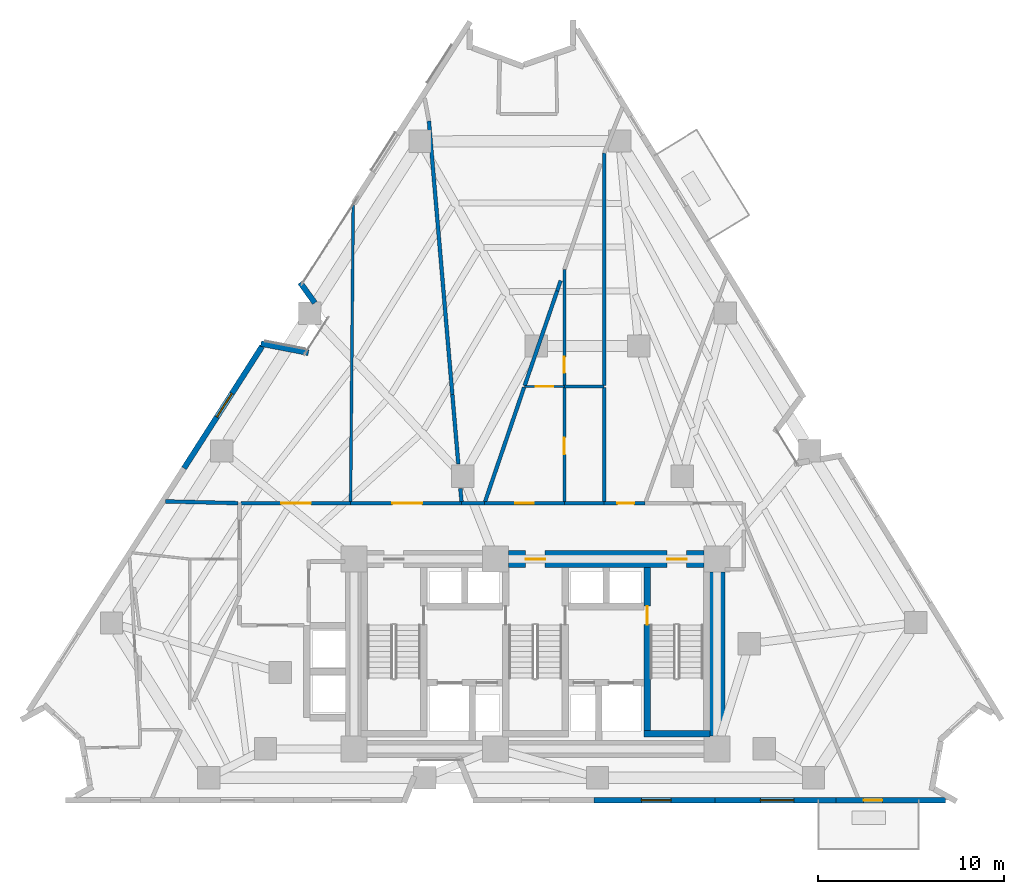
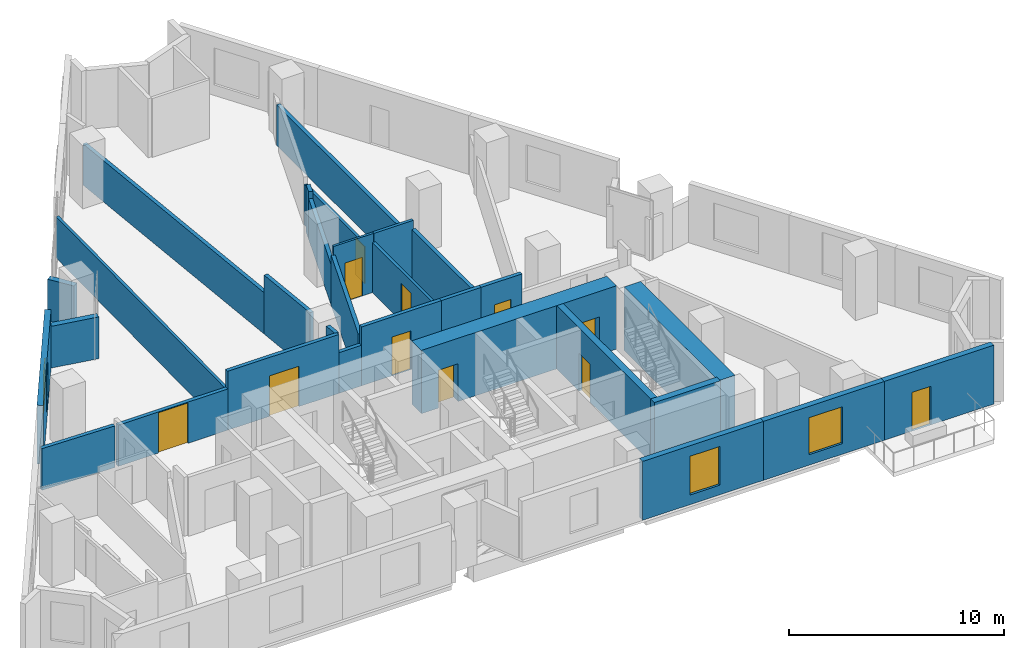
# One storey, part 8 of 13: 30 walls, 11 doors, 3 windows, 14 openings.
"""IFC4 building model written with IfcOpenShell, lengths in metres."""

from ifc_helpers import new_model, si_unit, direction, frame, frame_2d, origin, place, context, subcontext, project, spatial, rectangle, extrude, material, layer, layer_set, type_object, element, fill, save


model = new_model("IFC4")

# Units and contexts
model_context = context("Model", 3, precision=1e-05, world=origin(), true_north=direction((0.0, 1.0)))
body_context = subcontext(model_context, "Body", "Model", "MODEL_VIEW")
ifc_project = project(units=[si_unit("LENGTHUNIT", "METRE"), si_unit("AREAUNIT", "SQUARE_METRE"), si_unit("VOLUMEUNIT", "CUBIC_METRE"), si_unit("PLANEANGLEUNIT", "RADIAN"), si_unit("MASSUNIT", "GRAM", prefix="KILO")], contexts=[model_context])

# Site, building, storey
site_placement = place(None, origin())
site = spatial("IfcSite", under=ifc_project, at=site_placement, CompositionType="ELEMENT")
building_placement = place(site_placement, origin())
building = spatial("IfcBuilding", under=site, at=building_placement, Name="Almagre Mirador Tower", CompositionType="ELEMENT")
storey_placement = place(building_placement, frame((0.0, 0.0, 85.800048828125)))
storey = spatial("IfcBuildingStorey", under=building, at=storey_placement, Name="L21", CompositionType="ELEMENT", Elevation=85.800048828125)

# Walls
ifc_material_1 = material(Name="Precast concrete C50/60", Category="concrete")
ifc_layer_1 = layer(ifc_material_1, 0.300048828125)
ifc_layer_set_1 = layer_set([ifc_layer_1], Name="Precast concrete C50/60")
wall_type_1 = type_object("IfcWallType", Name="WAL-EXT-300", PredefinedType="SOLIDWALL", material=ifc_layer_set_1)
wall_1_placement = place(storey_placement, frame((22.556640625, 26.322509765625, 0.0), z_axis=(0.0, 0.0, 1.0), x_axis=(0.98176398898, -0.190103839891, 0.0)))
element("IfcWall", 1, at=wall_1_placement, inside=storey, type_object=wall_type_1, Name="L21 expressed almagre precast frame wall 01", PredefinedType="SOLIDWALL", context=body_context, shape_type="SweptSolid", body=[
    extrude(rectangle(XDim=2.59423828125, YDim=0.300048828125, at=frame_2d((1.297119140625, 0.0))), origin(), (0.0, 0.0, 1.0), 2.375),
])
wall_2_placement = place(storey_placement, frame((25.4501953125, 28.510986328125, 0.0), z_axis=(0.0, 0.0, 1.0), x_axis=(-0.583099772648, 0.812400550922, 0.0)))
element("IfcWall", 2, at=wall_2_placement, inside=storey, type_object=wall_type_1, Name="L21 expressed almagre precast frame wall 02", PredefinedType="SOLIDWALL", context=body_context, shape_type="SweptSolid", body=[
    extrude(rectangle(XDim=1.35107421875, YDim=0.300048828125, at=frame_2d((0.675537109375, 0.0))), origin(), (0.0, 0.0, 1.0), 2.375),
])

# Wall, opening, door
wall_3_placement = place(storey_placement, frame((59.340087890625, 1.800048828125, 0.0), z_axis=(0.0, 0.0, 1.0), x_axis=(-1.0, 0.0, 0.0)))
wall_3 = element("IfcWall", 3, at=wall_3_placement, inside=storey, type_object=wall_type_1, Name="L21 expressed almagre precast frame wall 22", PredefinedType="SOLIDWALL", context=body_context, shape_type="SweptSolid", body=[
    extrude(rectangle(XDim=5.89697265625, YDim=0.300048828125, at=frame_2d((2.948486328125, 0.0))), origin(), (0.0, 0.0, 1.0), 3.349853515625),
])
opening_1_placement = place(wall_3_placement, frame((3.397705078125, 0.0, 0.0)))
opening_1 = element("IfcOpeningElement", 4, at=opening_1_placement, cuts=wall_3, Name="Opening BD-01", PredefinedType="OPENING", context=body_context, shape_type="SweptSolid", body=[
    extrude(rectangle(XDim=1.0, YDim=2.199951171875, at=frame_2d((0.5, 1.10009765625))), frame((0.0, 0.159902, 0.0), z_axis=(0.0, -1.0, 0.0), x_axis=(1.0, 0.0, 0.0)), (0.0, 0.0, 1.0), 0.320049),
])
ifc_material_2 = material(Name="Black anodized aluminium and laminated glass", Category="aluminium")
door_type_1 = type_object("IfcDoorType", Name="DOR-BAL-1000X2200", OperationType="NOTDEFINED", PredefinedType="DOOR", material=ifc_material_2)
door_1_placement = place(opening_1_placement, origin())
door_1 = element("IfcDoor", 5, at=door_1_placement, inside=storey, type_object=door_type_1, Name="DR-0712 L21 south balcony glazed door 1", OperationType="SINGLE_SWING_LEFT", OverallHeight=2.199951171875, OverallWidth=1.0, PredefinedType="DOOR", context=body_context, shape_type="SweptSolid", body=[
    extrude(rectangle(XDim=1.0, YDim=2.199951171875, at=frame_2d((0.5, 1.10009765625))), frame((0.0, 0.02490234375, 0.0), z_axis=(0.0, -1.0, 0.0), x_axis=(1.0, 0.0, 0.0)), (0.0, 0.0, 1.0), 0.050048828125),
])
fill(opening_1, door_1)

# Wall, opening, window
wall_4_placement = place(storey_placement, frame((53.443115234375, 1.800048828125, 0.0), z_axis=(0.0, 0.0, 1.0), x_axis=(-1.0, 0.0, 0.0)))
wall_4 = element("IfcWall", 6, at=wall_4_placement, inside=storey, type_object=wall_type_1, Name="L21 expressed almagre precast frame wall 23", PredefinedType="SOLIDWALL", context=body_context, shape_type="SweptSolid", body=[
    extrude(rectangle(XDim=6.4970703125, YDim=0.300048828125, at=frame_2d((3.24853515625, 0.0))), origin(), (0.0, 0.0, 1.0), 3.349853515625),
])
opening_2_placement = place(wall_4_placement, frame((2.25, 0.0, 0.60009765625)))
opening_2 = element("IfcOpeningElement", 7, at=opening_2_placement, cuts=wall_4, Name="Opening WN-01", PredefinedType="OPENING", context=body_context, shape_type="SweptSolid", body=[
    extrude(rectangle(XDim=1.800048828125, YDim=2.10009765625, at=frame_2d((0.89990234375, 1.050048828125))), frame((0.0, 0.159902, 0.0), z_axis=(0.0, -1.0, 0.0), x_axis=(1.0, 0.0, 0.0)), (0.0, 0.0, 1.0), 0.320049),
])
ifc_material_3 = material(Name="Dark solar-control laminated hurricane glass", Category="glass")
window_type_1 = type_object("IfcWindowType", Name="WIN-1800X2100", PartitioningType="DOUBLE_PANEL_VERTICAL", PredefinedType="WINDOW", material=ifc_material_3)
window_1_placement = place(opening_2_placement, origin())
window_1 = element("IfcWindow", 8, at=window_1_placement, inside=storey, type_object=window_type_1, Name="L21 recessed hurricane window L21-RST-B", OverallHeight=2.10009765625, OverallWidth=1.800048828125, PartitioningType="SINGLE_PANEL", PredefinedType="WINDOW", context=body_context, shape_type="SweptSolid", body=[
    extrude(rectangle(XDim=1.800048828125, YDim=2.10009765625, at=frame_2d((0.89990234375, 1.050048828125))), frame((0.0, 0.030029296875, 0.0), z_axis=(0.0, -1.0, 0.0), x_axis=(1.0, 0.0, 0.0)), (0.0, 0.0, 1.0), 0.06005859375),
])
fill(opening_2, window_1)

wall_5_placement = place(storey_placement, frame((46.946044921875, 1.800048828125, 0.0), z_axis=(0.0, 0.0, 1.0), x_axis=(-1.0, 0.0, 0.0)))
wall_5 = element("IfcWall", 9, at=wall_5_placement, inside=storey, type_object=wall_type_1, Name="L21 expressed almagre precast frame wall 24", PredefinedType="SOLIDWALL", context=body_context, shape_type="SweptSolid", body=[
    extrude(rectangle(XDim=6.4970703125, YDim=0.300048828125, at=frame_2d((3.24853515625, 0.0))), origin(), (0.0, 0.0, 1.0), 3.349853515625),
])
opening_3_placement = place(wall_5_placement, frame((2.35009765625, 0.0, 0.550048828125)))
opening_3 = element("IfcOpeningElement", 10, at=opening_3_placement, cuts=wall_5, Name="Opening WN-06", PredefinedType="OPENING", context=body_context, shape_type="SweptSolid", body=[
    extrude(rectangle(XDim=1.60009765625, YDim=2.199951171875, at=frame_2d((0.800048828125, 1.10009765625))), frame((0.0, 0.159902, 0.0), z_axis=(0.0, -1.0, 0.0), x_axis=(1.0, 0.0, 0.0)), (0.0, 0.0, 1.0), 0.320049),
])
ifc_material_4 = material(Name="Dark solar-control laminated hurricane glass", Category="glass")
window_type_2 = type_object("IfcWindowType", Name="WIN-1600X2200", PartitioningType="DOUBLE_PANEL_VERTICAL", PredefinedType="WINDOW", material=ifc_material_4)
window_2_placement = place(opening_3_placement, origin())
window_2 = element("IfcWindow", 11, at=window_2_placement, inside=storey, type_object=window_type_2, Name="L21 recessed hurricane window L21-RST-B", OverallHeight=2.199951171875, OverallWidth=1.60009765625, PartitioningType="SINGLE_PANEL", PredefinedType="WINDOW", context=body_context, shape_type="SweptSolid", body=[
    extrude(rectangle(XDim=1.60009765625, YDim=2.199951171875, at=frame_2d((0.800048828125, 1.10009765625))), frame((0.0, 0.030029296875, 0.0), z_axis=(0.0, -1.0, 0.0), x_axis=(1.0, 0.0, 0.0)), (0.0, 0.0, 1.0), 0.06005859375),
])
fill(opening_3, window_2)

wall_6_placement = place(storey_placement, frame((18.4228515625, 19.62939453125, 0.0), z_axis=(0.0, 0.0, 1.0), x_axis=(0.539448885301, 0.842018349056, 0.0)))
wall_6 = element("IfcWall", 12, at=wall_6_placement, inside=storey, type_object=wall_type_1, Name="L21 expressed almagre precast frame wall 37", PredefinedType="SOLIDWALL", context=body_context, shape_type="SweptSolid", body=[
    extrude(rectangle(XDim=7.782470703125, YDim=0.300048828125, at=frame_2d((3.89111328125, 0.0))), origin(), (0.0, 0.0, 1.0), 3.349853515625),
])
opening_4_placement = place(wall_6_placement, frame((3.27490234375, 0.0, 0.60009765625)))
opening_4 = element("IfcOpeningElement", 13, at=opening_4_placement, cuts=wall_6, Name="Opening WN-03", PredefinedType="OPENING", context=body_context, shape_type="SweptSolid", body=[
    extrude(rectangle(XDim=1.5, YDim=2.10009765625, at=frame_2d((0.75, 1.050048828125))), frame((0.0, 0.159902, 0.0), z_axis=(0.0, -1.0, 0.0), x_axis=(1.0, 0.0, 0.0)), (0.0, 0.0, 1.0), 0.320049),
])
ifc_material_5 = material(Name="Dark solar-control laminated hurricane glass", Category="glass")
window_type_3 = type_object("IfcWindowType", Name="WIN-1500X2100", PartitioningType="DOUBLE_PANEL_VERTICAL", PredefinedType="WINDOW", material=ifc_material_5)
window_3_placement = place(opening_4_placement, origin())
window_3 = element("IfcWindow", 14, at=window_3_placement, inside=storey, type_object=window_type_3, Name="L21 recessed hurricane window L21-RST-E", OverallHeight=2.10009765625, OverallWidth=1.5, PartitioningType="SINGLE_PANEL", PredefinedType="WINDOW", context=body_context, shape_type="SweptSolid", body=[
    extrude(rectangle(XDim=1.5, YDim=2.10009765625, at=frame_2d((0.75, 1.050048828125))), frame((0.0, 0.030029296875, 0.0), z_axis=(0.0, -1.0, 0.0), x_axis=(1.0, 0.0, 0.0)), (0.0, 0.0, 1.0), 0.06005859375),
])
fill(opening_4, window_3)

# Wall, opening, door
ifc_material_6 = material(Name="Gypsum acoustic stud partition", Category="other")
ifc_layer_2 = layer(ifc_material_6, 0.125)
ifc_layer_set_2 = layer_set([ifc_layer_2], Name="Gypsum acoustic stud partition")
wall_type_2 = type_object("IfcWallType", Name="WAL-PRT-125-UTL", PredefinedType="PARTITIONING", material=ifc_layer_set_2)
wall_7_placement = place(storey_placement, frame((38.860107421875, 24.02001953125, 0.0), z_axis=(0.0, 0.0, 1.0), x_axis=(-1.0, 0.0, 0.0)))
wall_7 = element("IfcWall", 15, at=wall_7_placement, inside=storey, type_object=wall_type_2, Name="L21 interior partition 033", PredefinedType="PARTITIONING", context=body_context, shape_type="SweptSolid", body=[
    extrude(rectangle(XDim=2.150146484375, YDim=0.125, at=frame_2d((1.0751953125, 0.0))), origin(), (0.0, 0.0, 1.0), 3.349853515625),
])
opening_5_placement = place(wall_7_placement, frame((0.60009765625, 0.0, 0.0)))
opening_5 = element("IfcOpeningElement", 16, at=opening_5_placement, cuts=wall_7, Name="Opening UD-01", PredefinedType="OPENING", context=body_context, shape_type="SweptSolid", body=[
    extrude(rectangle(XDim=0.949951171875, YDim=2.199951171875, at=frame_2d((0.47509765625, 1.10009765625))), frame((0.0, 0.0725, 0.0), z_axis=(0.0, -1.0, 0.0), x_axis=(1.0, 0.0, 0.0)), (0.0, 0.0, 1.0), 0.145),
])
ifc_material_7 = material(Name="Solid American walnut timber", Category="wood")
door_type_2 = type_object("IfcDoorType", Name="DOR-UNR-950X2200", OperationType="NOTDEFINED", PredefinedType="DOOR", material=ifc_material_7)
door_2_placement = place(opening_5_placement, origin())
door_2 = element("IfcDoor", 17, at=door_2_placement, inside=storey, type_object=door_type_2, Name="DR-0729 L21 interior door L21-UG-LV to L21-UG-KT", OperationType="SINGLE_SWING_RIGHT", OverallHeight=2.199951171875, OverallWidth=0.949951171875, PredefinedType="DOOR", context=body_context, shape_type="SweptSolid", body=[
    extrude(rectangle(XDim=0.949951171875, YDim=2.199951171875, at=frame_2d((0.47509765625, 1.10009765625))), frame((0.0, 0.02490234375, 0.0), z_axis=(0.0, -1.0, 0.0), x_axis=(1.0, 0.0, 0.0)), (0.0, 0.0, 1.0), 0.050048828125),
])
fill(opening_5, door_2)

# Wall
ifc_material_8 = material(Name="Gypsum acoustic stud partition", Category="other")
ifc_layer_3 = layer(ifc_material_8, 0.14990234375)
ifc_layer_set_3 = layer_set([ifc_layer_3], Name="Gypsum acoustic stud partition")
wall_type_3 = type_object("IfcWallType", Name="WAL-PRT-150-STD", PredefinedType="PARTITIONING", material=ifc_layer_set_3)
wall_8_placement = place(storey_placement, frame((27.37109375, 17.8349609375, 0.0), z_axis=(0.0, 0.0, 1.0), x_axis=(0.008900588075, 0.999960388981, 0.0)))
element("IfcWall", 18, at=wall_8_placement, inside=storey, type_object=wall_type_3, Name="L21 interior partition 028", PredefinedType="PARTITIONING", context=body_context, shape_type="SweptSolid", body=[
    extrude(rectangle(XDim=15.936767578125, YDim=0.14990234375, at=frame_2d((7.96826171875, 0.0))), origin(), (0.0, 0.0, 1.0), 2.344970703125),
])

# Wall, opening, door
wall_9_placement = place(storey_placement, frame((38.860107421875, 17.8349609375, 0.0), z_axis=(0.0, 0.0, 1.0), x_axis=(0.0, 1.0, 0.0)))
wall_9 = element("IfcWall", 19, at=wall_9_placement, inside=storey, type_object=wall_type_3, Name="L21 interior partition 034", PredefinedType="PARTITIONING", context=body_context, shape_type="SweptSolid", body=[
    extrude(rectangle(XDim=6.137451171875, YDim=0.14990234375, at=frame_2d((3.06884765625, 0.0))), origin(), (0.0, 0.0, 1.0), 2.85302734375),
])
opening_6_placement = place(wall_9_placement, frame((2.540771484375, 0.0, 0.0)))
opening_6 = element("IfcOpeningElement", 20, at=opening_6_placement, cuts=wall_9, Name="Opening UD-02", PredefinedType="OPENING", context=body_context, shape_type="SweptSolid", body=[
    extrude(rectangle(XDim=0.89990234375, YDim=2.14990234375, at=frame_2d((0.449951171875, 1.074951171875))), frame((0.0, 0.084951, 0.0), z_axis=(0.0, -1.0, 0.0), x_axis=(1.0, 0.0, 0.0)), (0.0, 0.0, 1.0), 0.169902),
])
ifc_material_9 = material(Name="Solid American walnut timber", Category="wood")
door_type_3 = type_object("IfcDoorType", Name="DOR-UNR-900X2150", OperationType="NOTDEFINED", PredefinedType="DOOR", material=ifc_material_9)
door_3_placement = place(opening_6_placement, origin())
door_3 = element("IfcDoor", 21, at=door_3_placement, inside=storey, type_object=door_type_3, Name="DR-0731 L21 interior door L21-UG-LV to L21-UG-B1", OperationType="SINGLE_SWING_RIGHT", OverallHeight=2.14990234375, OverallWidth=0.89990234375, PredefinedType="DOOR", context=body_context, shape_type="SweptSolid", body=[
    extrude(rectangle(XDim=0.89990234375, YDim=2.14990234375, at=frame_2d((0.449951171875, 1.074951171875))), frame((0.0, 0.02490234375, 0.0), z_axis=(0.0, -1.0, 0.0), x_axis=(1.0, 0.0, 0.0)), (0.0, 0.0, 1.0), 0.050048828125),
])
fill(opening_6, door_3)

wall_10_placement = place(storey_placement, frame((38.860107421875, 30.300048828125, 0.0), z_axis=(0.0, 0.0, 1.0), x_axis=(0.0, -1.0, 0.0)))
wall_10 = element("IfcWall", 22, at=wall_10_placement, inside=storey, type_object=wall_type_3, Name="L21 interior partition 037", PredefinedType="PARTITIONING", context=body_context, shape_type="SweptSolid", body=[
    extrude(rectangle(XDim=6.232666015625, YDim=0.14990234375, at=frame_2d((3.1162109375, 0.0))), origin(), (0.0, 0.0, 1.0), 2.308837890625),
])
opening_7_placement = place(wall_10_placement, frame((4.691162109375, 0.0, 0.0)))
opening_7 = element("IfcOpeningElement", 23, at=opening_7_placement, cuts=wall_10, Name="Opening UD-04", PredefinedType="OPENING", context=body_context, shape_type="SweptSolid", body=[
    extrude(rectangle(XDim=0.85009765625, YDim=2.10009765625, at=frame_2d((0.425048828125, 1.050048828125))), frame((0.0, 0.084951, 0.0), z_axis=(0.0, -1.0, 0.0), x_axis=(1.0, 0.0, 0.0)), (0.0, 0.0, 1.0), 0.169902),
])
ifc_material_10 = material(Name="Moisture-resistant oak timber", Category="wood")
door_type_4 = type_object("IfcDoorType", Name="DOR-UNR-850X2100", OperationType="NOTDEFINED", PredefinedType="DOOR", material=ifc_material_10)
door_4_placement = place(opening_7_placement, origin())
door_4 = element("IfcDoor", 24, at=door_4_placement, inside=storey, type_object=door_type_4, Name="DR-0730 L21 interior door L21-UG-BT to L21-UG-KT", OperationType="SINGLE_SWING_LEFT", OverallHeight=2.10009765625, OverallWidth=0.85009765625, PredefinedType="DOOR", context=body_context, shape_type="SweptSolid", body=[
    extrude(rectangle(XDim=0.85009765625, YDim=2.10009765625, at=frame_2d((0.425048828125, 1.050048828125))), frame((0.0, 0.02490234375, 0.0), z_axis=(0.0, -1.0, 0.0), x_axis=(1.0, 0.0, 0.0)), (0.0, 0.0, 1.0), 0.050048828125),
])
fill(opening_7, door_4)

# Wall
wall_11_placement = place(storey_placement, frame((38.87255859375, 24.02001953125, 0.0), z_axis=(0.0, 0.0, 1.0), x_axis=(1.0, 0.0, 0.0)))
element("IfcWall", 25, at=wall_11_placement, inside=storey, type_object=wall_type_3, Name="L21 interior partition 038", PredefinedType="PARTITIONING", context=body_context, shape_type="SweptSolid", body=[
    extrude(rectangle(XDim=2.12744140625, YDim=0.14990234375, at=frame_2d((1.063720703125, 0.0))), origin(), (0.0, 0.0, 1.0), 3.349853515625),
])

# Wall, opening, door
ifc_material_11 = material(Name="Gypsum acoustic stud partition", Category="other")
ifc_layer_4 = layer(ifc_material_11, 0.199951171875)
ifc_layer_set_4 = layer_set([ifc_layer_4], Name="Gypsum acoustic stud partition")
wall_type_4 = type_object("IfcWallType", Name="WAL-PRT-200-EI60", PredefinedType="PARTITIONING", material=ifc_layer_set_4)
wall_12_placement = place(storey_placement, frame((27.3701171875, 17.75, 0.0), z_axis=(0.0, 0.0, 1.0), x_axis=(-1.0, 0.0, 0.0)))
wall_12 = element("IfcWall", 26, at=wall_12_placement, inside=storey, type_object=wall_type_4, Name="L21 interior partition 009", PredefinedType="PARTITIONING", context=body_context, shape_type="SweptSolid", body=[
    extrude(rectangle(XDim=5.885009765625, YDim=0.199951171875, at=frame_2d((2.9423828125, 0.0))), origin(), (0.0, 0.0, 1.0), 2.344970703125),
])
opening_8_placement = place(wall_12_placement, frame((2.126708984375, 0.0, 0.0)))
opening_8 = element("IfcOpeningElement", 27, at=opening_8_placement, cuts=wall_12, Name="Opening ID-05", PredefinedType="OPENING", context=body_context, shape_type="SweptSolid", body=[
    extrude(rectangle(XDim=1.60009765625, YDim=2.300048828125, at=frame_2d((0.800048828125, 1.14990234375))), frame((0.0, 0.110098, 0.0), z_axis=(0.0, -1.0, 0.0), x_axis=(1.0, 0.0, 0.0)), (0.0, 0.0, 1.0), 0.219951),
])
ifc_material_12 = material(Name="Fire-rated acoustic timber", Category="wood")
door_type_5 = type_object("IfcDoorType", Name="DOR-FD60-1600X2300", OperationType="DOUBLE_DOOR_SINGLE_SWING", PredefinedType="DOOR", material=ifc_material_12)
door_5_placement = place(opening_8_placement, origin())
door_5 = element("IfcDoor", 28, at=door_5_placement, inside=storey, type_object=door_type_5, Name="DR-0721 L21 interior door L21-RCOR to L21-RST-E", OperationType="DOUBLE_DOOR_SINGLE_SWING", OverallHeight=2.300048828125, OverallWidth=1.60009765625, PredefinedType="DOOR", context=body_context, shape_type="SweptSolid", body=[
    extrude(rectangle(XDim=1.60009765625, YDim=2.300048828125, at=frame_2d((0.800048828125, 1.14990234375))), frame((0.0, 0.02490234375, 0.0), z_axis=(0.0, -1.0, 0.0), x_axis=(1.0, 0.0, 0.0)), (0.0, 0.0, 1.0), 0.050048828125),
])
fill(opening_8, door_5)

wall_13_placement = place(storey_placement, frame((33.340087890625, 17.75, 0.0), z_axis=(0.0, 0.0, 1.0), x_axis=(-1.0, 0.0, 0.0)))
wall_13 = element("IfcWall", 29, at=wall_13_placement, inside=storey, type_object=wall_type_4, Name="L21 interior partition 010", PredefinedType="PARTITIONING", context=body_context, shape_type="SweptSolid", body=[
    extrude(rectangle(XDim=5.969970703125, YDim=0.199951171875, at=frame_2d((2.98486328125, 0.0))), origin(), (0.0, 0.0, 1.0), 3.349853515625),
])
opening_9_placement = place(wall_13_placement, frame((2.126708984375, 0.0, 0.0)))
opening_9 = element("IfcOpeningElement", 30, at=opening_9_placement, cuts=wall_13, Name="Opening ID-05", PredefinedType="OPENING", context=body_context, shape_type="SweptSolid", body=[
    extrude(rectangle(XDim=1.60009765625, YDim=2.300048828125, at=frame_2d((0.800048828125, 1.14990234375))), frame((0.0, 0.110098, 0.0), z_axis=(0.0, -1.0, 0.0), x_axis=(1.0, 0.0, 0.0)), (0.0, 0.0, 1.0), 0.219951),
])
door_6_placement = place(opening_9_placement, origin())
door_6 = element("IfcDoor", 31, at=door_6_placement, inside=storey, type_object=door_type_5, Name="DR-0722 L21 interior door L21-RCOR to L21-RST-F", OperationType="DOUBLE_DOOR_SINGLE_SWING", OverallHeight=2.300048828125, OverallWidth=1.60009765625, PredefinedType="DOOR", context=body_context, shape_type="SweptSolid", body=[
    extrude(rectangle(XDim=1.60009765625, YDim=2.300048828125, at=frame_2d((0.800048828125, 1.14990234375))), frame((0.0, 0.02490234375, 0.0), z_axis=(0.0, -1.0, 0.0), x_axis=(1.0, 0.0, 0.0)), (0.0, 0.0, 1.0), 0.050048828125),
])
fill(opening_9, door_6)

wall_14_placement = place(storey_placement, frame((38.860107421875, 17.75, 0.0), z_axis=(0.0, 0.0, 1.0), x_axis=(-1.0, 0.0, 0.0)))
wall_14 = element("IfcWall", 32, at=wall_14_placement, inside=storey, type_object=wall_type_4, Name="L21 interior partition 011", PredefinedType="PARTITIONING", context=body_context, shape_type="SweptSolid", body=[
    extrude(rectangle(XDim=4.2900390625, YDim=0.199951171875, at=frame_2d((2.14501953125, 0.0))), origin(), (0.0, 0.0, 1.0), 3.349853515625),
])
opening_10_placement = place(wall_14_placement, frame((1.64501953125, 0.0, 0.0)))
opening_10 = element("IfcOpeningElement", 33, at=opening_10_placement, cuts=wall_14, Name="Opening ID-01", PredefinedType="OPENING", context=body_context, shape_type="SweptSolid", body=[
    extrude(rectangle(XDim=1.0, YDim=2.199951171875, at=frame_2d((0.5, 1.10009765625))), frame((0.0, 0.110098, 0.0), z_axis=(0.0, -1.0, 0.0), x_axis=(1.0, 0.0, 0.0)), (0.0, 0.0, 1.0), 0.219951),
])
ifc_material_13 = material(Name="Fire-rated walnut timber", Category="wood")
door_type_6 = type_object("IfcDoorType", Name="DOR-FD60-1000X2200", OperationType="NOTDEFINED", PredefinedType="DOOR", material=ifc_material_13)
door_7_placement = place(opening_10_placement, origin())
door_7 = element("IfcDoor", 34, at=door_7_placement, inside=storey, type_object=door_type_6, Name="DR-0728 L21 interior door L21-RCOR to L21-UG-LV", OperationType="SINGLE_SWING_LEFT", OverallHeight=2.199951171875, OverallWidth=1.0, PredefinedType="DOOR", context=body_context, shape_type="SweptSolid", body=[
    extrude(rectangle(XDim=1.0, YDim=2.199951171875, at=frame_2d((0.5, 1.10009765625))), frame((0.0, 0.02490234375, 0.0), z_axis=(0.0, -1.0, 0.0), x_axis=(1.0, 0.0, 0.0)), (0.0, 0.0, 1.0), 0.050048828125),
])
fill(opening_10, door_7)

# Walls
wall_15_placement = place(storey_placement, frame((41.0, 17.75, 0.0), z_axis=(0.0, 0.0, 1.0), x_axis=(-1.0, 0.0, 0.0)))
element("IfcWall", 35, at=wall_15_placement, inside=storey, type_object=wall_type_4, Name="L21 interior partition 012", PredefinedType="PARTITIONING", context=body_context, shape_type="SweptSolid", body=[
    extrude(rectangle(XDim=2.139892578125, YDim=0.199951171875, at=frame_2d((1.06982421875, 0.0))), origin(), (0.0, 0.0, 1.0), 3.349853515625),
])
wall_16_placement = place(storey_placement, frame((34.570068359375, 17.75, 0.0), z_axis=(0.0, 0.0, 1.0), x_axis=(-1.0, 0.0, 0.0)))
element("IfcWall", 36, at=wall_16_placement, inside=storey, type_object=wall_type_4, Name="L21 interior partition 013", PredefinedType="PARTITIONING", context=body_context, shape_type="SweptSolid", body=[
    extrude(rectangle(XDim=1.22998046875, YDim=0.199951171875, at=frame_2d((0.614990234375, 0.0))), origin(), (0.0, 0.0, 1.0), 2.308837890625),
])

# Wall, opening, door
wall_17_placement = place(storey_placement, frame((43.199951171875, 17.75, 0.0), z_axis=(0.0, 0.0, 1.0), x_axis=(-1.0, 0.0, 0.0)))
wall_17 = element("IfcWall", 37, at=wall_17_placement, inside=storey, type_object=wall_type_4, Name="L21 interior partition 014", PredefinedType="PARTITIONING", context=body_context, shape_type="SweptSolid", body=[
    extrude(rectangle(XDim=2.199951171875, YDim=0.199951171875, at=frame_2d((1.10009765625, 0.0))), origin(), (0.0, 0.0, 1.0), 3.349853515625),
])
opening_11_placement = place(wall_17_placement, frame((0.59326171875, 0.0, 0.0)))
opening_11 = element("IfcOpeningElement", 38, at=opening_11_placement, cuts=wall_17, Name="Opening ID-03", PredefinedType="OPENING", context=body_context, shape_type="SweptSolid", body=[
    extrude(rectangle(XDim=0.89990234375, YDim=2.10009765625, at=frame_2d((0.449951171875, 1.050048828125))), frame((0.0, 0.110098, 0.0), z_axis=(0.0, -1.0, 0.0), x_axis=(1.0, 0.0, 0.0)), (0.0, 0.0, 1.0), 0.219951),
])
ifc_material_14 = material(Name="Fire-rated hollow steel", Category="steel")
door_type_7 = type_object("IfcDoorType", Name="DOR-FD60-900X2100", OperationType="NOTDEFINED", PredefinedType="DOOR", material=ifc_material_14)
door_8_placement = place(opening_11_placement, origin())
door_8 = element("IfcDoor", 39, at=door_8_placement, inside=storey, type_object=door_type_7, Name="DR-0723 L21 interior door L21-RCOR to L21-RST-J", OperationType="SINGLE_SWING_RIGHT", OverallHeight=2.10009765625, OverallWidth=0.89990234375, PredefinedType="DOOR", context=body_context, shape_type="SweptSolid", body=[
    extrude(rectangle(XDim=0.89990234375, YDim=2.10009765625, at=frame_2d((0.449951171875, 1.050048828125))), frame((0.0, 0.02490234375, 0.0), z_axis=(0.0, -1.0, 0.0), x_axis=(1.0, 0.0, 0.0)), (0.0, 0.0, 1.0), 0.050048828125),
])
fill(opening_11, door_8)

# Walls
wall_18_placement = place(storey_placement, frame((21.31494140625, 17.751708984375, 0.0), z_axis=(0.0, 0.0, 1.0), x_axis=(-0.999698711084, 0.024545611768, 0.0)))
element("IfcWall", 40, at=wall_18_placement, inside=storey, type_object=wall_type_4, Name="L21 interior partition 024", PredefinedType="PARTITIONING", context=body_context, shape_type="SweptSolid", body=[
    extrude(rectangle(XDim=3.879150390625, YDim=0.199951171875, at=frame_2d((1.939453125, 0.0))), origin(), (0.0, 0.0, 1.0), 2.369873046875),
])
wall_19_placement = place(storey_placement, frame((33.159912109375, 19.860107421875, 0.0), z_axis=(0.0, 0.0, 1.0), x_axis=(-0.08565893025, 0.996324519255, 0.0)))
element("IfcWall", 41, at=wall_19_placement, inside=storey, type_object=wall_type_4, Name="L21 interior partition 029", PredefinedType="PARTITIONING", context=body_context, shape_type="SweptSolid", body=[
    extrude(rectangle(XDim=3.733642578125, YDim=0.199951171875, at=frame_2d((1.86669921875, 0.0))), origin(), (0.0, 0.0, 1.0), 3.349853515625),
])
wall_20_placement = place(storey_placement, frame((33.33251953125, 17.834716796875, 0.0), z_axis=(0.0, 0.0, 1.0), x_axis=(-0.08826611765, 0.996096929257, 0.0)))
element("IfcWall", 42, at=wall_20_placement, inside=storey, type_object=wall_type_4, Name="L21 interior partition 030", PredefinedType="PARTITIONING", context=body_context, shape_type="SweptSolid", body=[
    extrude(rectangle(XDim=0.7080078125, YDim=0.199951171875, at=frame_2d((0.35400390625, 0.0))), origin(), (0.0, 0.0, 1.0), 3.349853515625),
])
wall_21_placement = place(storey_placement, frame((32.840087890625, 23.580078125, 0.0), z_axis=(0.0, 0.0, 1.0), x_axis=(-0.085402080026, 0.996346568583, 0.0)))
element("IfcWall", 43, at=wall_21_placement, inside=storey, type_object=wall_type_4, Name="L21 interior partition 031", PredefinedType="PARTITIONING", context=body_context, shape_type="SweptSolid", body=[
    extrude(rectangle(XDim=14.75390625, YDim=0.199951171875, at=frame_2d((7.376953125, 0.0))), origin(), (0.0, 0.0, 1.0), 2.344970703125),
])
wall_22_placement = place(storey_placement, frame((41.0, 24.080078125, 0.0), z_axis=(0.0, 0.0, 1.0), x_axis=(0.0, 1.0, 0.0)))
element("IfcWall", 44, at=wall_22_placement, inside=storey, type_object=wall_type_4, Name="L21 interior partition 039", PredefinedType="PARTITIONING", context=body_context, shape_type="SweptSolid", body=[
    extrude(rectangle(XDim=12.47998046875, YDim=0.199951171875, at=frame_2d((6.239990234375, 0.0))), origin(), (0.0, 0.0, 1.0), 2.308837890625),
])
wall_23_placement = place(storey_placement, frame((38.469970703125, 29.14990234375, 0.0), z_axis=(0.0, 0.0, 1.0), x_axis=(-0.324526339913, -0.94587665935, 0.0)))
element("IfcWall", 45, at=wall_23_placement, inside=storey, type_object=wall_type_4, Name="L21 interior partition 041", PredefinedType="PARTITIONING", context=body_context, shape_type="SweptSolid", body=[
    extrude(rectangle(XDim=5.3759765625, YDim=0.199951171875, at=frame_2d((2.68798828125, 0.0))), origin(), (0.0, 0.0, 1.0), 2.308837890625),
])
wall_24_placement = place(storey_placement, frame((38.659912109375, 29.710205078125, 0.0), z_axis=(0.0, 0.0, 1.0), x_axis=(-0.321051827957, -0.947061626171, 0.0)))
element("IfcWall", 46, at=wall_24_placement, inside=storey, type_object=wall_type_4, Name="L21 interior partition 042", PredefinedType="PARTITIONING", context=body_context, shape_type="SweptSolid", body=[
    extrude(rectangle(XDim=0.591552734375, YDim=0.199951171875, at=frame_2d((0.2958984375, 0.0))), origin(), (0.0, 0.0, 1.0), 2.7119140625),
])
wall_25_placement = place(storey_placement, frame((41.0, 17.8349609375, 0.0), z_axis=(0.0, 0.0, 1.0), x_axis=(0.0, 1.0, 0.0)))
element("IfcWall", 47, at=wall_25_placement, inside=storey, type_object=wall_type_4, Name="L21 interior partition 043", PredefinedType="PARTITIONING", context=body_context, shape_type="SweptSolid", body=[
    extrude(rectangle(XDim=6.125, YDim=0.199951171875, at=frame_2d((3.0625, 0.0))), origin(), (0.0, 0.0, 1.0), 2.85302734375),
])
wall_26_placement = place(storey_placement, frame((36.694580078125, 23.97509765625, 0.0), z_axis=(0.0, 0.0, 1.0), x_axis=(-0.322999292012, -0.946399206128, 0.0)))
element("IfcWall", 48, at=wall_26_placement, inside=storey, type_object=wall_type_4, Name="L21 interior partition 063", PredefinedType="PARTITIONING", context=body_context, shape_type="SweptSolid", body=[
    extrude(rectangle(XDim=6.49267578125, YDim=0.199951171875, at=frame_2d((3.246337890625, 0.0))), origin(), (0.0, 0.0, 1.0), 2.85302734375),
])

# Wall, opening, door
ifc_material_15 = material(Name="Concrete C60/75", Category="concrete")
ifc_layer_5 = layer(ifc_material_15, 0.35009765625)
ifc_layer_set_5 = layer_set([ifc_layer_5], Name="Concrete C60/75")
wall_type_5 = type_object("IfcWallType", Name="WAL-SHF-350", PredefinedType="SOLIDWALL", material=ifc_layer_set_5)
wall_27_placement = place(storey_placement, frame((43.300048828125, 5.199951171875, 0.0), z_axis=(0.0, 0.0, 1.0), x_axis=(0.0, 1.0, 0.0)))
wall_27 = element("IfcWall", 49, at=wall_27_placement, inside=storey, type_object=wall_type_5, Name="L21 shaft wall ST3-W", PredefinedType="SOLIDWALL", context=body_context, shape_type="SweptSolid", body=[
    extrude(rectangle(XDim=9.10009765625, YDim=0.35009765625, at=frame_2d((4.550048828125, 0.0))), origin(), (0.0, 0.0, 1.0), 3.599853515625),
])
opening_12_placement = place(wall_27_placement, frame((6.02001953125, 0.0, 0.0)))
opening_12 = element("IfcOpeningElement", 50, at=opening_12_placement, cuts=wall_27, Name="Opening FD-01", PredefinedType="OPENING", context=body_context, shape_type="SweptSolid", body=[
    extrude(rectangle(XDim=1.0, YDim=2.14990234375, at=frame_2d((0.5, 1.074951171875))), frame((0.0, 0.185049, 0.0), z_axis=(0.0, -1.0, 0.0), x_axis=(1.0, 0.0, 0.0)), (0.0, 0.0, 1.0), 0.370098),
])
ifc_material_16 = material(Name="Fire-rated hollow steel", Category="steel")
door_type_8 = type_object("IfcDoorType", Name="DOR-FFL-1000X2150", OperationType="NOTDEFINED", PredefinedType="DOOR", material=ifc_material_16)
door_9_placement = place(opening_12_placement, origin())
door_9 = element("IfcDoor", 51, at=door_9_placement, inside=storey, type_object=door_type_8, Name="DR-0718 L21 FFL2-ST3 smokeproof door", OperationType="SINGLE_SWING_LEFT", OverallHeight=2.14990234375, OverallWidth=1.0, PredefinedType="DOOR", context=body_context, shape_type="SweptSolid", body=[
    extrude(rectangle(XDim=1.0, YDim=2.14990234375, at=frame_2d((0.5, 1.074951171875))), frame((0.0, 0.02490234375, 0.0), z_axis=(0.0, -1.0, 0.0), x_axis=(1.0, 0.0, 0.0)), (0.0, 0.0, 1.0), 0.050048828125),
])
fill(opening_12, door_9)

# Wall
wall_28_placement = place(storey_placement, frame((43.125, 5.375, 0.0), z_axis=(0.0, 0.0, 1.0), x_axis=(1.0, 0.0, 0.0)))
element("IfcWall", 52, at=wall_28_placement, inside=storey, type_object=wall_type_5, Name="L21 shaft wall ST3-S", PredefinedType="SOLIDWALL", context=body_context, shape_type="SweptSolid", body=[
    extrude(rectangle(XDim=3.550048828125, YDim=0.35009765625, at=frame_2d((1.77490234375, 0.0))), origin(), (0.0, 0.0, 1.0), 3.599853515625),
])

# Wall, openings, doors
ifc_material_17 = material(Name="Concrete C70/85", Category="concrete")
ifc_layer_6 = layer(ifc_material_17, 0.89990234375)
ifc_layer_set_6 = layer_set([ifc_layer_6], Name="Concrete C70/85")
wall_type_6 = type_object("IfcWallType", Name="WAL-SHR-900", PredefinedType="SHEAR", material=ifc_layer_set_6)
wall_29_placement = place(storey_placement, frame((35.85009765625, 14.75, 0.0), z_axis=(0.0, 0.0, 1.0), x_axis=(1.0, 0.0, 0.0)))
wall_29 = element("IfcWall", 53, at=wall_29_placement, inside=storey, type_object=wall_type_6, Name="L21 core shear wall N2", PredefinedType="SHEAR", context=body_context, shape_type="SweptSolid", body=[
    extrude(rectangle(XDim=10.5, YDim=0.89990234375, at=frame_2d((5.25, 0.0))), origin(), (0.0, 0.0, 1.0), 3.599853515625),
])
opening_13_placement = place(wall_29_placement, frame((0.925048828125, 0.0, 0.0)))
opening_13 = element("IfcOpeningElement", 54, at=opening_13_placement, cuts=wall_29, Name="Opening SD-01", PredefinedType="OPENING", context=body_context, shape_type="SweptSolid", body=[
    extrude(rectangle(XDim=1.050048828125, YDim=2.14990234375, at=frame_2d((0.52490234375, 1.074951171875))), frame((0.0, 0.459951, 0.0), z_axis=(0.0, -1.0, 0.0), x_axis=(1.0, 0.0, 0.0)), (0.0, 0.0, 1.0), 0.919902),
])
opening_14_placement = place(wall_29_placement, frame((8.52490234375, 0.0, 0.0)))
opening_14 = element("IfcOpeningElement", 55, at=opening_14_placement, cuts=wall_29, Name="Opening SD-01", PredefinedType="OPENING", context=body_context, shape_type="SweptSolid", body=[
    extrude(rectangle(XDim=1.050048828125, YDim=2.14990234375, at=frame_2d((0.52490234375, 1.074951171875))), frame((0.0, 0.459951, 0.0), z_axis=(0.0, -1.0, 0.0), x_axis=(1.0, 0.0, 0.0)), (0.0, 0.0, 1.0), 0.919902),
])
ifc_material_18 = material(Name="Fire-rated hollow steel", Category="steel")
door_type_9 = type_object("IfcDoorType", Name="DOR-ST-1050X2150", OperationType="NOTDEFINED", PredefinedType="DOOR", material=ifc_material_18)
door_10_placement = place(opening_13_placement, origin())
door_10 = element("IfcDoor", 56, at=door_10_placement, inside=storey, type_object=door_type_9, Name="DR-0737 L21 protected exit stair ST-2 door", OperationType="SINGLE_SWING_RIGHT", OverallHeight=2.14990234375, OverallWidth=1.050048828125, PredefinedType="DOOR", context=body_context, shape_type="SweptSolid", body=[
    extrude(rectangle(XDim=1.050048828125, YDim=2.14990234375, at=frame_2d((0.52490234375, 1.074951171875))), frame((0.0, 0.02490234375, 0.0), z_axis=(0.0, -1.0, 0.0), x_axis=(1.0, 0.0, 0.0)), (0.0, 0.0, 1.0), 0.050048828125),
])
fill(opening_13, door_10)
door_11_placement = place(opening_14_placement, origin())
door_11 = element("IfcDoor", 57, at=door_11_placement, inside=storey, type_object=door_type_9, Name="DR-0738 L21 protected exit stair ST-3 door", OperationType="SINGLE_SWING_LEFT", OverallHeight=2.14990234375, OverallWidth=1.050048828125, PredefinedType="DOOR", context=body_context, shape_type="SweptSolid", body=[
    extrude(rectangle(XDim=1.050048828125, YDim=2.14990234375, at=frame_2d((0.52490234375, 1.074951171875))), frame((0.0, 0.02490234375, 0.0), z_axis=(0.0, -1.0, 0.0), x_axis=(1.0, 0.0, 0.0)), (0.0, 0.0, 1.0), 0.050048828125),
])
fill(opening_14, door_11)

# Wall
wall_30_placement = place(storey_placement, frame((47.050048828125, 5.25, 0.0), z_axis=(0.0, 0.0, 1.0), x_axis=(0.0, 1.0, 0.0)))
element("IfcWall", 58, at=wall_30_placement, inside=storey, type_object=wall_type_6, Name="L21 core shear wall E1", PredefinedType="SHEAR", context=body_context, shape_type="SweptSolid", body=[
    extrude(rectangle(XDim=8.800048828125, YDim=0.89990234375, at=frame_2d((4.39990234375, 0.0))), origin(), (0.0, 0.0, 1.0), 3.599853515625),
])

save(model, "model.ifc")
